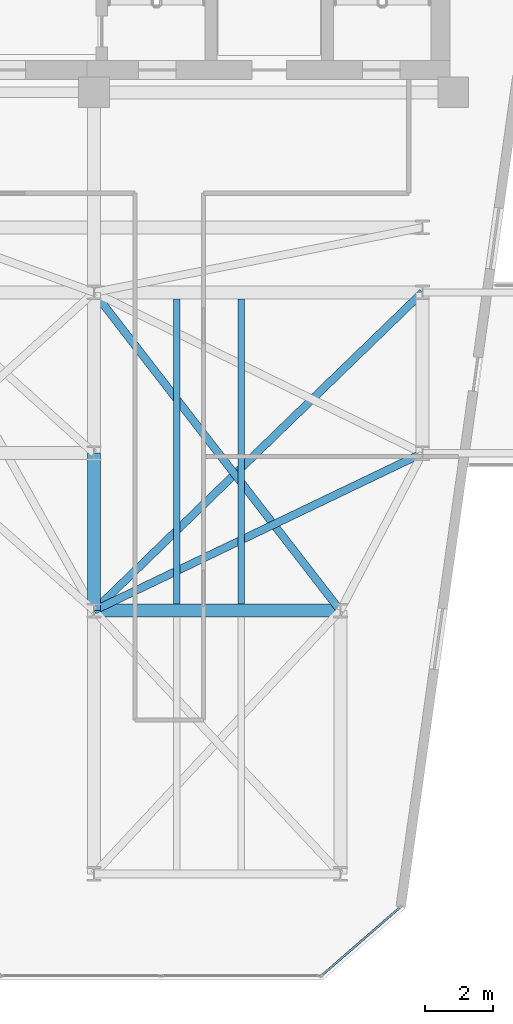
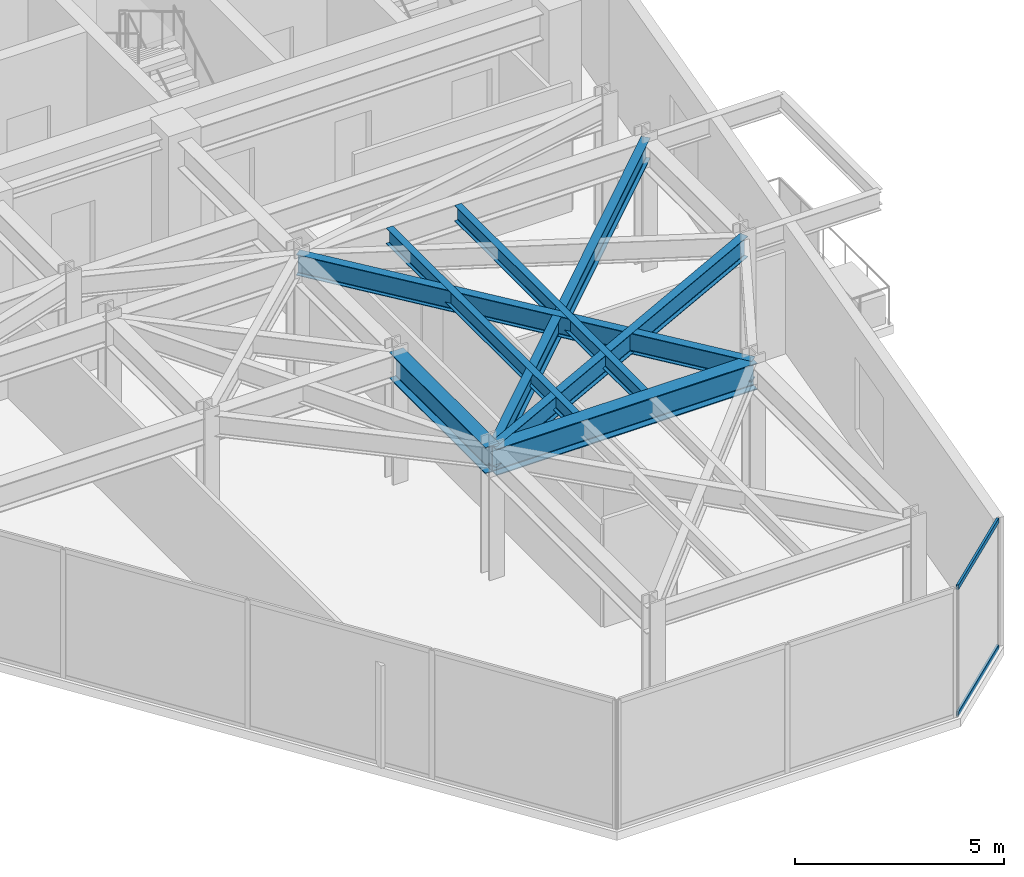
# One storey, part 13 of 21: 7 beams, 2 members, 1 element without a shape of its own.
"""IFC4 building model written with IfcOpenShell, lengths in metres."""

from ifc_helpers import new_model, si_unit, direction, frame, origin, origin_2d, place, context, subcontext, project, spatial, hollow_rectangle, i_section, extrude, material, layer, layer_set, material_profile, profile_set, type_object, element, aggregate, save


model = new_model("IFC4")

# Units and contexts
model_context = context("Model", 3, precision=1e-05, world=origin(), true_north=direction((0.0, 1.0)))
body_context = subcontext(model_context, "Body", "Model", "MODEL_VIEW")
ifc_project = project(units=[si_unit("LENGTHUNIT", "METRE"), si_unit("AREAUNIT", "SQUARE_METRE"), si_unit("VOLUMEUNIT", "CUBIC_METRE"), si_unit("PLANEANGLEUNIT", "RADIAN"), si_unit("MASSUNIT", "GRAM", prefix="KILO")], contexts=[model_context])

# Site, building, storey
site_placement = place(None, origin())
site = spatial("IfcSite", under=ifc_project, at=site_placement, CompositionType="ELEMENT")
building_placement = place(site_placement, origin())
building = spatial("IfcBuilding", under=site, at=building_placement, Name="Kravanh Interchange Tower", CompositionType="ELEMENT")
storey_placement = place(building_placement, frame((0.0, 0.0, 184.5)))
storey = spatial("IfcBuildingStorey", under=building, at=storey_placement, Name="L44", CompositionType="ELEMENT", Elevation=184.5)

# Curtain wall, members
ifc_material_1 = material(Name="Anodised Bronze Aluminium", Category="aluminium")
ifc_layer = layer(ifc_material_1, 0.179931640625)
ifc_layer_set = layer_set([ifc_layer], Name="Unitised Curtain Wall System CW-Z3 Upper Office")
curtain_wall_type = type_object("IfcCurtainWallType", Name="Unitised Curtain Wall System CW-Z3 Upper Office", PredefinedType="NOTDEFINED", material=ifc_layer_set)
curtain_wall_placement = place(storey_placement, origin())
curtain_wall = element("IfcCurtainWall", 1, at=curtain_wall_placement, inside=storey, type_object=curtain_wall_type, Name="L44 Unitised Curtain Wall CW-L44-01", PredefinedType="NOTDEFINED")
ifc_material_2 = material(Name="Anodised Bronze Aluminium", Category="aluminium")
ifc_material_profile_1 = material_profile(ifc_material_2, hollow_rectangle(XDim=0.06005859375, YDim=0.139892578125, WallThickness=0.00390625, at=origin_2d()), Name="ALU60X140X4")
ifc_profile_set_1 = profile_set([ifc_material_profile_1], Name="Anodised Bronze Aluminium")
member_type = type_object("IfcMemberType", Name="Curtain Wall Transom ALU60X140X4 Bronze", PredefinedType="USERDEFINED", material=ifc_profile_set_1)
member_1_placement = place(storey_placement, frame((64.92041015625, 13.501220703125, 0.030029296875), z_axis=(-0.754744002238, -0.656019428893, 0.0), x_axis=(0.656019428893, -0.754744002238, 0.0)))
member_1 = element("IfcMember", 2, at=member_1_placement, type_object=member_type, Name="CW-Z3 transom 1.1", ObjectType="TRANSOM", PredefinedType="USERDEFINED", context=body_context, shape_type="SweptSolid", body=[
    extrude(hollow_rectangle(XDim=0.06005859375, YDim=0.139892578125, WallThickness=0.00390625, at=origin_2d()), origin(), (0.0, 0.0, 1.0), 2.960205078125),
])
member_2_placement = place(storey_placement, frame((64.92041015625, 13.501220703125, 3.72509765625), z_axis=(-0.754744002238, -0.656019428893, 0.0), x_axis=(0.656019428893, -0.754744002238, 0.0)))
member_2 = element("IfcMember", 3, at=member_2_placement, type_object=member_type, Name="CW-Z3 transom 1.2", ObjectType="TRANSOM", PredefinedType="USERDEFINED", context=body_context, shape_type="SweptSolid", body=[
    extrude(hollow_rectangle(XDim=0.06005859375, YDim=0.139892578125, WallThickness=0.00390625, at=origin_2d()), origin(), (0.0, 0.0, 1.0), 2.960205078125),
])
aggregate(curtain_wall, [member_1, member_2])

# Beams
ifc_material_3 = material(Name="Structural Steel S355", Category="steel")
ifc_material_profile_2 = material_profile(ifc_material_3, i_section(OverallWidth=0.381103515625, OverallDepth=0.77294921875, WebThickness=0.0166015625, FlangeThickness=0.027099609375, FilletRadius=0.02490234375, at=origin_2d()), Name="W30X173")
ifc_profile_set_2 = profile_set([ifc_material_profile_2], Name="Structural Steel S355")
beam_type_1 = type_object("IfcBeamType", Name="Floor Beam W30X173 Structural Steel S355", PredefinedType="BEAM", material=ifc_profile_set_2)
beam_1_placement = place(storey_placement, frame((56.0, 26.800048828125, 3.368408203125), z_axis=(0.0, -1.0, 0.0), x_axis=(1.0, 0.0, 0.0)))
element("IfcBeam", 4, at=beam_1_placement, inside=storey, type_object=beam_type_1, Name="L44 Primary Floor Girder 53", PredefinedType="BEAM", context=body_context, shape_type="SweptSolid", body=[
    extrude(i_section(OverallWidth=0.381103515625, OverallDepth=0.77294921875, WebThickness=0.0166015625, FlangeThickness=0.027099609375, FilletRadius=0.02490234375, at=origin_2d()), origin(), (0.0, 0.0, 1.0), 4.60009765625),
])
beam_2_placement = place(storey_placement, frame((56.0, 22.199951171875, 3.368408203125), z_axis=(1.0, 0.0, 0.0), x_axis=(0.0, 1.0, 0.0)))
element("IfcBeam", 5, at=beam_2_placement, inside=storey, type_object=beam_type_1, Name="L44 Primary Floor Girder 92", PredefinedType="BEAM", context=body_context, shape_type="SweptSolid", body=[
    extrude(i_section(OverallWidth=0.381103515625, OverallDepth=0.77294921875, WebThickness=0.0166015625, FlangeThickness=0.027099609375, FilletRadius=0.02490234375, at=origin_2d()), origin(), (0.0, 0.0, 1.0), 7.199951171875),
])
ifc_material_4 = material(Name="Structural Steel S355", Category="steel")
ifc_material_profile_3 = material_profile(ifc_material_4, i_section(OverallWidth=0.18994140625, OverallDepth=0.45703125, WebThickness=0.009033203125, FlangeThickness=0.014404296875, FilletRadius=0.01806640625, at=origin_2d()), Name="W18X50")
ifc_profile_set_3 = profile_set([ifc_material_profile_3], Name="Structural Steel S355")
beam_type_2 = type_object("IfcBeamType", Name="Floor Joist W18X50 Structural Steel S355", PredefinedType="JOIST", material=ifc_profile_set_3)
for number, where, z_axis, x_axis, name in (
    (6, (58.419921875, 22.385498046875, 3.526611328125), (0.0, 1.0, 0.0), (-1.0, 0.0, 0.0), "L44 Secondary Floor Joist 7"),
    (7, (60.30810546875, 22.385498046875, 3.526611328125), (0.0, 1.0, 0.0), (-1.0, 0.0, 0.0), "L44 Secondary Floor Joist 8"),
):
    element("IfcBeam", number, at=place(storey_placement, frame(where, z_axis=z_axis, x_axis=x_axis)), inside=storey, type_object=beam_type_2, Name=name, PredefinedType="JOIST", context=body_context, shape_type="SweptSolid", body=[
        extrude(i_section(OverallWidth=0.18994140625, OverallDepth=0.45703125, WebThickness=0.009033203125, FlangeThickness=0.014404296875, FilletRadius=0.01806640625, at=origin_2d()), origin(), (0.0, 0.0, 1.0), 8.928955078125),
    ])
ifc_material_5 = material(Name="Structural Steel S355", Category="steel")
ifc_material_profile_4 = material_profile(ifc_material_5, i_section(OverallWidth=0.22802734375, OverallDepth=0.60791015625, WebThickness=0.01123046875, FlangeThickness=0.017333984375, FilletRadius=0.02197265625, at=origin_2d()), Name="W24X76")
ifc_profile_set_4 = profile_set([ifc_material_profile_4], Name="Structural Steel S355")
beam_type_3 = type_object("IfcBeamType", Name="Floor Spandrel W24X76 Structural Steel S355", PredefinedType="SPANDREL", material=ifc_profile_set_4)
beam_3_placement = place(storey_placement, frame((65.60009765625, 26.800048828125, 3.450927734375), z_axis=(-0.901814166789, -0.432124066188, 0.0), x_axis=(0.432124066188, -0.901814166789, 0.0)))
element("IfcBeam", 8, at=beam_3_placement, inside=storey, type_object=beam_type_3, Name="L44 Perimeter Spandrel 59", PredefinedType="SPANDREL", context=body_context, shape_type="SweptSolid", body=[
    extrude(i_section(OverallWidth=0.22802734375, OverallDepth=0.60791015625, WebThickness=0.01123046875, FlangeThickness=0.017333984375, FilletRadius=0.02197265625, at=origin_2d()), origin(), (0.0, 0.0, 1.0), 10.645263671875),
])
beam_4_placement = place(storey_placement, frame((56.0, 31.5, 3.450927734375), z_axis=(0.612168587637, -0.790727273028, 0.0), x_axis=(0.790727273028, 0.612168587637, 0.0)))
element("IfcBeam", 9, at=beam_4_placement, inside=storey, type_object=beam_type_3, Name="L44 Perimeter Spandrel 83", PredefinedType="SPANDREL", context=body_context, shape_type="SweptSolid", body=[
    extrude(i_section(OverallWidth=0.22802734375, OverallDepth=0.60791015625, WebThickness=0.01123046875, FlangeThickness=0.017333984375, FilletRadius=0.02197265625, at=origin_2d()), origin(), (0.0, 0.0, 1.0), 11.761474609375),
])
beam_5_placement = place(storey_placement, frame((65.60009765625, 31.5, 3.450927734375), z_axis=(-0.718241934329, -0.695793449072, 0.0), x_axis=(0.695793449072, -0.718241934329, 0.0)))
element("IfcBeam", 10, at=beam_5_placement, inside=storey, type_object=beam_type_3, Name="L44 Perimeter Spandrel 85", PredefinedType="SPANDREL", context=body_context, shape_type="SweptSolid", body=[
    extrude(i_section(OverallWidth=0.22802734375, OverallDepth=0.60791015625, WebThickness=0.01123046875, FlangeThickness=0.017333984375, FilletRadius=0.02197265625, at=origin_2d()), origin(), (0.0, 0.0, 1.0), 13.3662109375),
])

save(model, "model.ifc")
